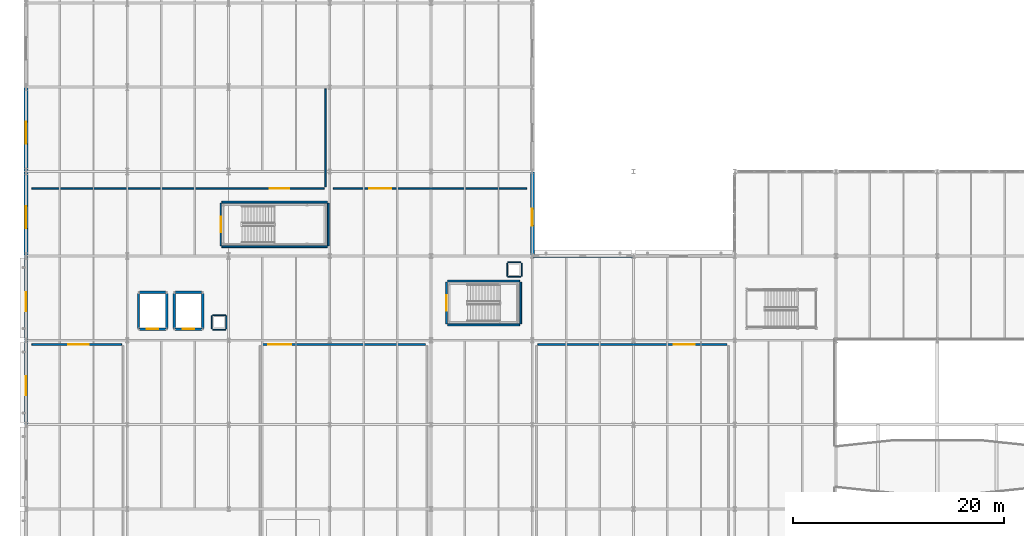
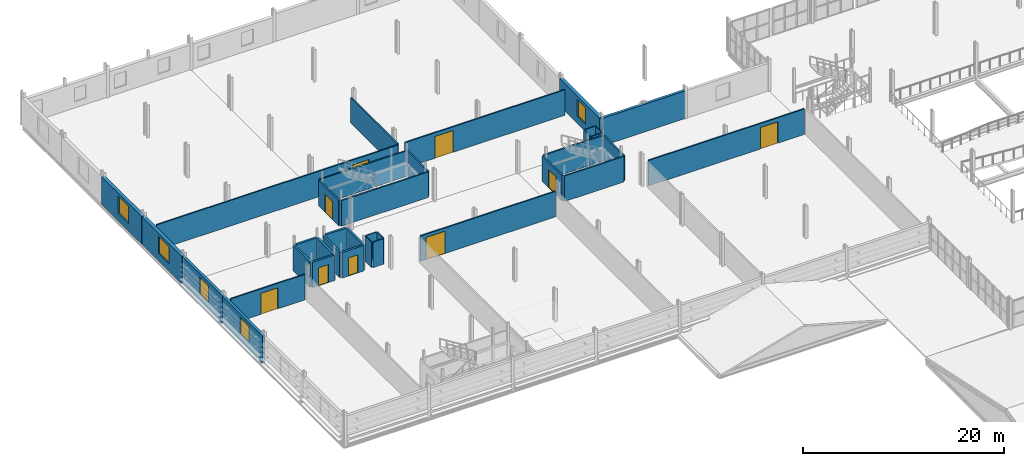
# One storey, part 73 of 85: 36 walls, 9 doors, 5 windows, 14 openings.
"""IFC4 building model written with IfcOpenShell, lengths in metres."""

from ifc_helpers import new_model, si_unit, direction, frame, frame_2d, origin, place, context, subcontext, project, spatial, rectangle, extrude, material, layer, layer_set, type_object, element, fill, save


model = new_model("IFC4")

# Units and contexts
model_context = context("Model", 3, precision=1e-05, world=origin(), true_north=direction((0.0, 1.0)))
body_context = subcontext(model_context, "Body", "Model", "MODEL_VIEW")
ifc_project = project(units=[si_unit("LENGTHUNIT", "METRE"), si_unit("AREAUNIT", "SQUARE_METRE"), si_unit("VOLUMEUNIT", "CUBIC_METRE"), si_unit("PLANEANGLEUNIT", "RADIAN"), si_unit("MASSUNIT", "GRAM", prefix="KILO")], contexts=[model_context])

# Site, building, storey
site_placement = place(None, origin())
site = spatial("IfcSite", under=ifc_project, at=site_placement, CompositionType="ELEMENT")
building_placement = place(site_placement, origin())
building = spatial("IfcBuilding", under=site, at=building_placement, Name="Alderhovde Museum", CompositionType="ELEMENT")
storey_placement = place(building_placement, frame((0.0, 0.0, 8.699951171875)))
storey = spatial("IfcBuildingStorey", under=building, at=storey_placement, Name="L02", CompositionType="ELEMENT", Elevation=8.699951171875)

# Wall, opening, window
ifc_material_1 = material(Name="Fluted Jura Limestone Beaux-Arts Wall", Category="masonry")
ifc_layer_1 = layer(ifc_material_1, 0.3798828125)
ifc_layer_set_1 = layer_set([ifc_layer_1], Name="Fluted Jura Limestone Beaux-Arts Wall")
wall_type_1 = type_object("IfcWallType", Name="EW-LIME-380", PredefinedType="SOLIDWALL", material=ifc_layer_set_1)
wall_1_placement = place(storey_placement, frame((9.60009765625, 80.02001953125, 0.0), z_axis=(0.0, 0.0, 1.0), x_axis=(0.0, 1.0, 0.0)))
wall_1 = element("IfcWall", 1, at=wall_1_placement, inside=storey, type_object=wall_type_1, Name="L02 North Wing West Wall 146", PredefinedType="SOLIDWALL", context=body_context, shape_type="SweptSolid", body=[
    extrude(rectangle(XDim=7.9599609375, YDim=0.3798828125, at=frame_2d((3.97998046875, 0.0))), origin(), (0.0, 0.0, 1.0), 3.360107421875),
])
opening_1_placement = place(wall_1_placement, frame((2.60009765625, 0.0, 0.89990234375)))
opening_1 = element("IfcOpeningElement", 2, at=opening_1_placement, cuts=wall_1, Name="Opening W10", PredefinedType="OPENING", context=body_context, shape_type="SweptSolid", body=[
    extrude(rectangle(XDim=2.10009765625, YDim=2.10009765625, at=frame_2d((1.050048828125, 1.050048828125))), frame((0.0, 0.199951171875, 0.0), z_axis=(0.0, -1.0, 0.0), x_axis=(1.0, 0.0, 0.0)), (0.0, 0.0, 1.0), 0.39990234375),
])
ifc_material_2 = material(Name="Triple-Glazed Low-E Bronze-Anodised Aluminium", Category="aluminium")
window_type_1 = type_object("IfcWindowType", Name="WIN-BA-2100x2100", PartitioningType="DOUBLE_PANEL_VERTICAL", PredefinedType="WINDOW", material=ifc_material_2)
window_1_placement = place(opening_1_placement, origin())
window_1 = element("IfcWindow", 3, at=window_1_placement, inside=storey, type_object=window_type_1, Name="L02 Facade Window 127", OverallHeight=2.10009765625, OverallWidth=2.10009765625, PartitioningType="SINGLE_PANEL", PredefinedType="WINDOW", context=body_context, shape_type="SweptSolid", body=[
    extrude(rectangle(XDim=2.10009765625, YDim=2.10009765625, at=frame_2d((1.050048828125, 1.050048828125))), frame((0.0, 0.030029296875, 0.0), z_axis=(0.0, -1.0, 0.0), x_axis=(1.0, 0.0, 0.0)), (0.0, 0.0, 1.0), 0.06005859375),
])
fill(opening_1, window_1)

wall_2_placement = place(storey_placement, frame((57.60009765625, 80.02001953125, 0.0), z_axis=(0.0, 0.0, 1.0), x_axis=(0.0, 1.0, 0.0)))
wall_2 = element("IfcWall", 4, at=wall_2_placement, inside=storey, type_object=wall_type_1, Name="L02 North Wing East Wall 147", PredefinedType="SOLIDWALL", context=body_context, shape_type="SweptSolid", body=[
    extrude(rectangle(XDim=7.9599609375, YDim=0.3798828125, at=frame_2d((3.97998046875, 0.0))), origin(), (0.0, 0.0, 1.0), 3.360107421875),
])
opening_2_placement = place(wall_2_placement, frame((2.85009765625, 0.0, 0.89990234375)))
opening_2 = element("IfcOpeningElement", 5, at=opening_2_placement, cuts=wall_2, Name="Opening W17", PredefinedType="OPENING", context=body_context, shape_type="SweptSolid", body=[
    extrude(rectangle(XDim=1.60009765625, YDim=2.0, at=frame_2d((0.800048828125, 1.0))), frame((0.0, 0.199951171875, 0.0), z_axis=(0.0, -1.0, 0.0), x_axis=(1.0, 0.0, 0.0)), (0.0, 0.0, 1.0), 0.39990234375),
])
ifc_material_3 = material(Name="Triple-Glazed Low-E Bronze-Anodised Aluminium", Category="aluminium")
window_type_2 = type_object("IfcWindowType", Name="WIN-LAB-1600x2000", PartitioningType="DOUBLE_PANEL_VERTICAL", PredefinedType="WINDOW", material=ifc_material_3)
window_2_placement = place(opening_2_placement, origin())
window_2 = element("IfcWindow", 6, at=window_2_placement, inside=storey, type_object=window_type_2, Name="L02 Facade Window 128", OverallHeight=2.0, OverallWidth=1.60009765625, PartitioningType="SINGLE_PANEL", PredefinedType="WINDOW", context=body_context, shape_type="SweptSolid", body=[
    extrude(rectangle(XDim=1.60009765625, YDim=2.0, at=frame_2d((0.800048828125, 1.0))), frame((0.0, 0.030029296875, 0.0), z_axis=(0.0, -1.0, 0.0), x_axis=(1.0, 0.0, 0.0)), (0.0, 0.0, 1.0), 0.06005859375),
])
fill(opening_2, window_2)

wall_3_placement = place(storey_placement, frame((9.60009765625, 88.02001953125, 0.0), z_axis=(0.0, 0.0, 1.0), x_axis=(0.0, 1.0, 0.0)))
wall_3 = element("IfcWall", 7, at=wall_3_placement, inside=storey, type_object=wall_type_1, Name="L02 North Wing West Wall 148", PredefinedType="SOLIDWALL", context=body_context, shape_type="SweptSolid", body=[
    extrude(rectangle(XDim=7.9599609375, YDim=0.3798828125, at=frame_2d((3.97998046875, 0.0))), origin(), (0.0, 0.0, 1.0), 3.360107421875),
])
opening_3_placement = place(wall_3_placement, frame((2.60009765625, 0.0, 0.89990234375)))
opening_3 = element("IfcOpeningElement", 8, at=opening_3_placement, cuts=wall_3, Name="Opening W10", PredefinedType="OPENING", context=body_context, shape_type="SweptSolid", body=[
    extrude(rectangle(XDim=2.10009765625, YDim=2.10009765625, at=frame_2d((1.050048828125, 1.050048828125))), frame((0.0, 0.199951171875, 0.0), z_axis=(0.0, -1.0, 0.0), x_axis=(1.0, 0.0, 0.0)), (0.0, 0.0, 1.0), 0.39990234375),
])
window_3_placement = place(opening_3_placement, origin())
window_3 = element("IfcWindow", 9, at=window_3_placement, inside=storey, type_object=window_type_1, Name="L02 Facade Window 129", OverallHeight=2.10009765625, OverallWidth=2.10009765625, PartitioningType="SINGLE_PANEL", PredefinedType="WINDOW", context=body_context, shape_type="SweptSolid", body=[
    extrude(rectangle(XDim=2.10009765625, YDim=2.10009765625, at=frame_2d((1.050048828125, 1.050048828125))), frame((0.0, 0.030029296875, 0.0), z_axis=(0.0, -1.0, 0.0), x_axis=(1.0, 0.0, 0.0)), (0.0, 0.0, 1.0), 0.06005859375),
])
fill(opening_3, window_3)

# Wall
ifc_material_4 = material(Name="Insulated Zinc-Clad Backing Wall")
ifc_layer_2 = layer(ifc_material_4, 0.300048828125)
ifc_layer_set_2 = layer_set([ifc_layer_2], Name="Insulated Zinc-Clad Backing Wall")
wall_type_2 = type_object("IfcWallType", Name="EW-ZINC-300", PredefinedType="SOLIDWALL", material=ifc_layer_set_2)
wall_4_placement = place(storey_placement, frame((57.6201171875, 80.0, 0.0), z_axis=(0.0, 0.0, 1.0), x_axis=(1.0, 0.0, 0.0)))
element("IfcWall", 10, at=wall_4_placement, inside=storey, type_object=wall_type_2, Name="L02 Folded Wing North Wall 29", PredefinedType="SOLIDWALL", context=body_context, shape_type="SweptSolid", body=[
    extrude(rectangle(XDim=9.559814453125, YDim=0.300048828125, at=frame_2d((4.77978515625, 0.0))), origin(), (0.0, 0.0, 1.0), 3.360107421875),
])

# Wall, opening, window
wall_5_placement = place(storey_placement, frame((9.60009765625, 64.02001953125, 0.0), z_axis=(0.0, 0.0, 1.0), x_axis=(0.0, 1.0, 0.0)))
wall_5 = element("IfcWall", 11, at=wall_5_placement, inside=storey, type_object=wall_type_2, Name="L02 Raised West Prow Wall 33", PredefinedType="SOLIDWALL", context=body_context, shape_type="SweptSolid", body=[
    extrude(rectangle(XDim=7.9599609375, YDim=0.300048828125, at=frame_2d((3.97998046875, 0.0))), origin(), (0.0, 0.0, 1.0), 3.360107421875),
])
opening_4_placement = place(wall_5_placement, frame((2.75, 0.0, 0.85009765625)))
opening_4 = element("IfcOpeningElement", 12, at=opening_4_placement, cuts=wall_5, Name="Opening W09", PredefinedType="OPENING", context=body_context, shape_type="SweptSolid", body=[
    extrude(rectangle(XDim=1.800048828125, YDim=2.10009765625, at=frame_2d((0.89990234375, 1.050048828125))), frame((0.0, 0.159912109375, 0.0), z_axis=(0.0, -1.0, 0.0), x_axis=(1.0, 0.0, 0.0)), (0.0, 0.0, 1.0), 0.320068359375),
])
ifc_material_5 = material(Name="Triple-Glazed Low-E Bronze-Anodised Aluminium", Category="aluminium")
window_type_3 = type_object("IfcWindowType", Name="WIN-BA-1800x2100", PartitioningType="DOUBLE_PANEL_VERTICAL", PredefinedType="WINDOW", material=ifc_material_5)
window_4_placement = place(opening_4_placement, origin())
window_4 = element("IfcWindow", 13, at=window_4_placement, inside=storey, type_object=window_type_3, Name="L02 Facade Window 21", OverallHeight=2.10009765625, OverallWidth=1.800048828125, PartitioningType="SINGLE_PANEL", PredefinedType="WINDOW", context=body_context, shape_type="SweptSolid", body=[
    extrude(rectangle(XDim=1.800048828125, YDim=2.10009765625, at=frame_2d((0.89990234375, 1.050048828125))), frame((0.0, 0.030029296875, 0.0), z_axis=(0.0, -1.0, 0.0), x_axis=(1.0, 0.0, 0.0)), (0.0, 0.0, 1.0), 0.06005859375),
])
fill(opening_4, window_4)

wall_6_placement = place(storey_placement, frame((9.60009765625, 72.02001953125, 0.0), z_axis=(0.0, 0.0, 1.0), x_axis=(0.0, 1.0, 0.0)))
wall_6 = element("IfcWall", 14, at=wall_6_placement, inside=storey, type_object=wall_type_2, Name="L02 Raised West Prow Wall 34", PredefinedType="SOLIDWALL", context=body_context, shape_type="SweptSolid", body=[
    extrude(rectangle(XDim=7.9599609375, YDim=0.300048828125, at=frame_2d((3.97998046875, 0.0))), origin(), (0.0, 0.0, 1.0), 3.360107421875),
])
opening_5_placement = place(wall_6_placement, frame((2.75, 0.0, 0.85009765625)))
opening_5 = element("IfcOpeningElement", 15, at=opening_5_placement, cuts=wall_6, Name="Opening W09", PredefinedType="OPENING", context=body_context, shape_type="SweptSolid", body=[
    extrude(rectangle(XDim=1.800048828125, YDim=2.10009765625, at=frame_2d((0.89990234375, 1.050048828125))), frame((0.0, 0.159912109375, 0.0), z_axis=(0.0, -1.0, 0.0), x_axis=(1.0, 0.0, 0.0)), (0.0, 0.0, 1.0), 0.320068359375),
])
window_5_placement = place(opening_5_placement, origin())
window_5 = element("IfcWindow", 16, at=window_5_placement, inside=storey, type_object=window_type_3, Name="L02 Facade Window 22", OverallHeight=2.10009765625, OverallWidth=1.800048828125, PartitioningType="SINGLE_PANEL", PredefinedType="WINDOW", context=body_context, shape_type="SweptSolid", body=[
    extrude(rectangle(XDim=1.800048828125, YDim=2.10009765625, at=frame_2d((0.89990234375, 1.050048828125))), frame((0.0, 0.030029296875, 0.0), z_axis=(0.0, -1.0, 0.0), x_axis=(1.0, 0.0, 0.0)), (0.0, 0.0, 1.0), 0.06005859375),
])
fill(opening_5, window_5)

# Wall, opening, door
ifc_material_6 = material(Name="Plywood-Backed Gallery Display Partition", Category="wood")
ifc_layer_3 = layer(ifc_material_6, 0.14990234375)
ifc_layer_set_3 = layer_set([ifc_layer_3], Name="Plywood-Backed Gallery Display Partition")
wall_type_3 = type_object("IfcWallType", Name="IW-GAL-150", PredefinedType="PARTITIONING", material=ifc_layer_set_3)
wall_7_placement = place(storey_placement, frame((10.139892578125, 71.60009765625, 0.0), z_axis=(0.0, 0.0, 1.0), x_axis=(1.0, 0.0, 0.0)))
wall_7 = element("IfcWall", 17, at=wall_7_placement, inside=storey, type_object=wall_type_3, Name="L02 West Prow Decorative Arts Gallery Partition Wall N", PredefinedType="PARTITIONING", context=body_context, shape_type="SweptSolid", body=[
    extrude(rectangle(XDim=8.52001953125, YDim=0.14990234375, at=frame_2d((4.260009765625, 0.0))), origin(), (0.0, 0.0, 1.0), 3.10009765625),
])
opening_6_placement = place(wall_7_placement, frame((3.44091796875, 0.0, 0.0)))
opening_6 = element("IfcOpeningElement", 18, at=opening_6_placement, cuts=wall_7, Name="Opening D12", PredefinedType="OPENING", context=body_context, shape_type="SweptSolid", body=[
    extrude(rectangle(XDim=1.949951171875, YDim=2.550048828125, at=frame_2d((0.97509765625, 1.27490234375))), frame((0.0, 0.0849609375, 0.0), z_axis=(0.0, -1.0, 0.0), x_axis=(1.0, 0.0, 0.0)), (0.0, 0.0, 1.0), 0.169921875),
])
ifc_material_7 = material(Name="Natural History Double Door (Steel/Oak)", Category="steel")
door_type_1 = type_object("IfcDoorType", Name="ID-GAL-1950x2550", OperationType="NOTDEFINED", PredefinedType="DOOR", material=ifc_material_7)
door_1_placement = place(opening_6_placement, origin())
door_1 = element("IfcDoor", 19, at=door_1_placement, inside=storey, type_object=door_type_1, Name="L02 West Prow Decorative Arts Gallery Door", OperationType="DOUBLE_DOOR_SINGLE_SWING", OverallHeight=2.550048828125, OverallWidth=1.949951171875, PredefinedType="DOOR", context=body_context, shape_type="SweptSolid", body=[
    extrude(rectangle(XDim=1.949951171875, YDim=2.550048828125, at=frame_2d((0.97509765625, 1.27490234375))), frame((0.0, 0.02490234375, 0.0), z_axis=(0.0, -1.0, 0.0), x_axis=(1.0, 0.0, 0.0)), (0.0, 0.0, 1.0), 0.050048828125),
])
fill(opening_6, door_1)

wall_8_placement = place(storey_placement, frame((31.93994140625, 71.60009765625, 0.0), z_axis=(0.0, 0.0, 1.0), x_axis=(1.0, 0.0, 0.0)))
wall_8 = element("IfcWall", 20, at=wall_8_placement, inside=storey, type_object=wall_type_3, Name="L02 European Paintings Enfilade Gallery Partition Wall N", PredefinedType="PARTITIONING", context=body_context, shape_type="SweptSolid", body=[
    extrude(rectangle(XDim=15.52001953125, YDim=0.14990234375, at=frame_2d((7.760009765625, 0.0))), origin(), (0.0, 0.0, 1.0), 3.10009765625),
])
opening_7_placement = place(wall_8_placement, frame((0.6220703125, 0.0, 0.0)))
opening_7 = element("IfcOpeningElement", 21, at=opening_7_placement, cuts=wall_8, Name="Opening D01", PredefinedType="OPENING", context=body_context, shape_type="SweptSolid", body=[
    extrude(rectangle(XDim=2.199951171875, YDim=2.699951171875, at=frame_2d((1.10009765625, 1.35009765625))), frame((0.0, 0.0849609375, 0.0), z_axis=(0.0, -1.0, 0.0), x_axis=(1.0, 0.0, 0.0)), (0.0, 0.0, 1.0), 0.169921875),
])
ifc_material_8 = material(Name="Grand Gallery Portal Double Door (Steel/Oak)", Category="steel")
door_type_2 = type_object("IfcDoorType", Name="ID-GAL-2200x2700", OperationType="NOTDEFINED", PredefinedType="DOOR", material=ifc_material_8)
door_2_placement = place(opening_7_placement, origin())
door_2 = element("IfcDoor", 22, at=door_2_placement, inside=storey, type_object=door_type_2, Name="L02 European Paintings Enfilade Gallery Door", OperationType="DOUBLE_DOOR_SINGLE_SWING", OverallHeight=2.699951171875, OverallWidth=2.199951171875, PredefinedType="DOOR", context=body_context, shape_type="SweptSolid", body=[
    extrude(rectangle(XDim=2.199951171875, YDim=2.699951171875, at=frame_2d((1.10009765625, 1.35009765625))), frame((0.0, 0.02490234375, 0.0), z_axis=(0.0, -1.0, 0.0), x_axis=(1.0, 0.0, 0.0)), (0.0, 0.0, 1.0), 0.050048828125),
])
fill(opening_7, door_2)

wall_9_placement = place(storey_placement, frame((58.139892578125, 71.60009765625, 0.0), z_axis=(0.0, 0.0, 1.0), x_axis=(1.0, 0.0, 0.0)))
wall_9 = element("IfcWall", 23, at=wall_9_placement, inside=storey, type_object=wall_type_3, Name="L02 Nordic Mineralogy Exhibition Hall Partition Wall N", PredefinedType="PARTITIONING", context=body_context, shape_type="SweptSolid", body=[
    extrude(rectangle(XDim=17.920166015625, YDim=0.14990234375, at=frame_2d((8.9599609375, 0.0))), origin(), (0.0, 0.0, 1.0), 3.10009765625),
])
opening_8_placement = place(wall_9_placement, frame((12.85009765625, 0.0, 0.0)))
opening_8 = element("IfcOpeningElement", 24, at=opening_8_placement, cuts=wall_9, Name="Opening D02", PredefinedType="OPENING", context=body_context, shape_type="SweptSolid", body=[
    extrude(rectangle(XDim=2.0, YDim=2.60009765625, at=frame_2d((1.0, 1.300048828125))), frame((0.0, 0.0849609375, 0.0), z_axis=(0.0, -1.0, 0.0), x_axis=(1.0, 0.0, 0.0)), (0.0, 0.0, 1.0), 0.169921875),
])
ifc_material_9 = material(Name="Exhibition Enfilade Double Door (Steel/Oak)", Category="steel")
door_type_3 = type_object("IfcDoorType", Name="ID-GAL-2000x2600", OperationType="NOTDEFINED", PredefinedType="DOOR", material=ifc_material_9)
door_3_placement = place(opening_8_placement, origin())
door_3 = element("IfcDoor", 25, at=door_3_placement, inside=storey, type_object=door_type_3, Name="L02 Nordic Mineralogy Exhibition Hall Door", OperationType="DOUBLE_DOOR_SINGLE_SWING", OverallHeight=2.60009765625, OverallWidth=2.0, PredefinedType="DOOR", context=body_context, shape_type="SweptSolid", body=[
    extrude(rectangle(XDim=2.0, YDim=2.60009765625, at=frame_2d((1.0, 1.300048828125))), frame((0.0, 0.02490234375, 0.0), z_axis=(0.0, -1.0, 0.0), x_axis=(1.0, 0.0, 0.0)), (0.0, 0.0, 1.0), 0.050048828125),
])
fill(opening_8, door_3)

wall_10_placement = place(storey_placement, frame((10.139892578125, 86.39990234375, 0.0), z_axis=(0.0, 0.0, 1.0), x_axis=(1.0, 0.0, 0.0)))
wall_10 = element("IfcWall", 26, at=wall_10_placement, inside=storey, type_object=wall_type_3, Name="L02 Arctic Biodiversity Hall West Partition Wall S", PredefinedType="PARTITIONING", context=body_context, shape_type="SweptSolid", body=[
    extrude(rectangle(XDim=27.72021484375, YDim=0.14990234375, at=frame_2d((13.860107421875, 0.0))), origin(), (0.0, 0.0, 1.0), 3.10009765625),
])
opening_9_placement = place(wall_10_placement, frame((22.5458984375, 0.0, 0.0)))
opening_9 = element("IfcOpeningElement", 27, at=opening_9_placement, cuts=wall_10, Name="Opening D03", PredefinedType="OPENING", context=body_context, shape_type="SweptSolid", body=[
    extrude(rectangle(XDim=1.85009765625, YDim=2.5, at=frame_2d((0.925048828125, 1.25))), frame((0.0, 0.0849609375, 0.0), z_axis=(0.0, -1.0, 0.0), x_axis=(1.0, 0.0, 0.0)), (0.0, 0.0, 1.0), 0.169921875),
])
ifc_material_10 = material(Name="Gallery Passage Double Door (Steel/Oak)", Category="steel")
door_type_4 = type_object("IfcDoorType", Name="ID-GAL-1850x2500", OperationType="NOTDEFINED", PredefinedType="DOOR", material=ifc_material_10)
door_4_placement = place(opening_9_placement, origin())
door_4 = element("IfcDoor", 28, at=door_4_placement, inside=storey, type_object=door_type_4, Name="L02 Arctic Biodiversity Hall West Door", OperationType="DOUBLE_DOOR_SINGLE_SWING", OverallHeight=2.5, OverallWidth=1.85009765625, PredefinedType="DOOR", context=body_context, shape_type="SweptSolid", body=[
    extrude(rectangle(XDim=1.85009765625, YDim=2.5, at=frame_2d((0.925048828125, 1.25))), frame((0.0, 0.02490234375, 0.0), z_axis=(0.0, -1.0, 0.0), x_axis=(1.0, 0.0, 0.0)), (0.0, 0.0, 1.0), 0.050048828125),
])
fill(opening_9, door_4)

# Wall
wall_11_placement = place(storey_placement, frame((38.0, 86.5400390625, 0.0), z_axis=(0.0, 0.0, 1.0), x_axis=(0.0, 1.0, 0.0)))
element("IfcWall", 29, at=wall_11_placement, inside=storey, type_object=wall_type_3, Name="L02 Arctic Biodiversity Hall West Partition Wall E", PredefinedType="PARTITIONING", context=body_context, shape_type="SweptSolid", body=[
    extrude(rectangle(XDim=9.2900390625, YDim=0.14990234375, at=frame_2d((4.64501953125, 0.0))), origin(), (0.0, 0.0, 1.0), 3.10009765625),
])

# Wall, opening, door
wall_12_placement = place(storey_placement, frame((38.739990234375, 86.39990234375, 0.0), z_axis=(0.0, 0.0, 1.0), x_axis=(1.0, 0.0, 0.0)))
wall_12 = element("IfcWall", 30, at=wall_12_placement, inside=storey, type_object=wall_type_3, Name="L02 Arctic Biodiversity Hall East Partition Wall S", PredefinedType="PARTITIONING", context=body_context, shape_type="SweptSolid", body=[
    extrude(rectangle(XDim=18.320068359375, YDim=0.14990234375, at=frame_2d((9.16015625, 0.0))), origin(), (0.0, 0.0, 1.0), 3.10009765625),
])
opening_10_placement = place(wall_12_placement, frame((3.375, 0.0, 0.0)))
opening_10 = element("IfcOpeningElement", 31, at=opening_10_placement, cuts=wall_12, Name="Opening D11", PredefinedType="OPENING", context=body_context, shape_type="SweptSolid", body=[
    extrude(rectangle(XDim=2.10009765625, YDim=2.64990234375, at=frame_2d((1.050048828125, 1.324951171875))), frame((0.0, 0.0849609375, 0.0), z_axis=(0.0, -1.0, 0.0), x_axis=(1.0, 0.0, 0.0)), (0.0, 0.0, 1.0), 0.169921875),
])
ifc_material_11 = material(Name="Sculpture Hall Double Door (Steel/Oak)", Category="steel")
door_type_5 = type_object("IfcDoorType", Name="ID-GAL-2100x2650", OperationType="NOTDEFINED", PredefinedType="DOOR", material=ifc_material_11)
door_5_placement = place(opening_10_placement, origin())
door_5 = element("IfcDoor", 32, at=door_5_placement, inside=storey, type_object=door_type_5, Name="L02 Arctic Biodiversity Hall East Door", OperationType="DOUBLE_DOOR_SINGLE_SWING", OverallHeight=2.64990234375, OverallWidth=2.10009765625, PredefinedType="DOOR", context=body_context, shape_type="SweptSolid", body=[
    extrude(rectangle(XDim=2.10009765625, YDim=2.64990234375, at=frame_2d((1.050048828125, 1.324951171875))), frame((0.0, 0.02490234375, 0.0), z_axis=(0.0, -1.0, 0.0), x_axis=(1.0, 0.0, 0.0)), (0.0, 0.0, 1.0), 0.050048828125),
])
fill(opening_10, door_5)

# Walls
ifc_material_12 = material(Name="Acoustic Service Riser Lining Wall")
ifc_layer_4 = layer(ifc_material_12, 0.10009765625)
ifc_layer_set_4 = layer_set([ifc_layer_4], Name="Acoustic Service Riser Lining Wall")
wall_type_4 = type_object("IfcWallType", Name="IW-LIN-100", PredefinedType="PARTITIONING", material=ifc_layer_set_4)
for number, where, z_axis, x_axis, name in (
    (33, (27.280029296875, 74.3798828125, 0.0), (0.0, 0.0, 1.0), (1.0, 0.0, 0.0), "L02 Service Riser RSR-V1A Shaft Wall N"),
    (34, (27.280029296875, 73.02001953125, 0.0), (0.0, 0.0, 1.0), (1.0, 0.0, 0.0), "L02 Service Riser RSR-V1A Shaft Wall S"),
    (35, (27.219970703125, 73.080078125, 0.0), (0.0, 0.0, 1.0), (0.0, 1.0, 0.0), "L02 Service Riser RSR-V1A Shaft Wall W"),
    (36, (28.580078125, 73.080078125, 0.0), (0.0, 0.0, 1.0), (0.0, 1.0, 0.0), "L02 Service Riser RSR-V1A Shaft Wall E"),
    (37, (55.280029296875, 79.3798828125, 0.0), (0.0, 0.0, 1.0), (1.0, 0.0, 0.0), "L02 Service Riser RSR-V4 Shaft Wall N"),
    (38, (55.280029296875, 78.02001953125, 0.0), (0.0, 0.0, 1.0), (1.0, 0.0, 0.0), "L02 Service Riser RSR-V4 Shaft Wall S"),
    (39, (55.219970703125, 78.080078125, 0.0), (0.0, 0.0, 1.0), (0.0, 1.0, 0.0), "L02 Service Riser RSR-V4 Shaft Wall W"),
    (40, (56.580078125, 78.080078125, 0.0), (0.0, 0.0, 1.0), (0.0, 1.0, 0.0), "L02 Service Riser RSR-V4 Shaft Wall E"),
):
    element("IfcWall", number, at=place(storey_placement, frame(where, z_axis=z_axis, x_axis=x_axis)), inside=storey, type_object=wall_type_4, Name=name, PredefinedType="PARTITIONING", context=body_context, shape_type="SweptSolid", body=[
        extrude(rectangle(XDim=1.239990234375, YDim=0.10009765625, at=frame_2d((0.6201171875, 0.0))), origin(), (0.0, 0.0, 1.0), 3.10009765625),
    ])

# Wall, opening, door
ifc_material_13 = material(Name="Concrete C40/50 and Fireboard Shaft Wall", Category="concrete")
ifc_layer_5 = layer(ifc_material_13, 0.22998046875)
ifc_layer_set_5 = layer_set([ifc_layer_5], Name="Concrete C40/50 and Fireboard Shaft Wall")
wall_type_5 = type_object("IfcWallType", Name="IW-SHAFT-230", PredefinedType="SOLIDWALL", material=ifc_layer_set_5)
wall_13_placement = place(storey_placement, frame((20.340087890625, 73.06005859375, 0.0), z_axis=(0.0, 0.0, 1.0), x_axis=(1.0, 0.0, 0.0)))
wall_13 = element("IfcWall", 41, at=wall_13_placement, inside=storey, type_object=wall_type_5, Name="L02 Passenger Lift PL-01 Shaft Wall South", PredefinedType="SOLIDWALL", context=body_context, shape_type="SweptSolid", body=[
    extrude(rectangle(XDim=2.52001953125, YDim=0.22998046875, at=frame_2d((1.260009765625, 0.0))), origin(), (0.0, 0.0, 1.0), 3.10009765625),
])
opening_11_placement = place(wall_13_placement, frame((0.7099609375, 0.0, 0.0)))
opening_11 = element("IfcOpeningElement", 42, at=opening_11_placement, cuts=wall_13, Name="Opening LD-1", PredefinedType="OPENING", context=body_context, shape_type="SweptSolid", body=[
    extrude(rectangle(XDim=1.10009765625, YDim=2.199951171875, at=frame_2d((0.550048828125, 1.10009765625))), frame((0.0, 0.125, 0.0), z_axis=(0.0, -1.0, 0.0), x_axis=(1.0, 0.0, 0.0)), (0.0, 0.0, 1.0), 0.25),
])
ifc_material_14 = material(Name="Passenger Lift Sliding Landing Door (Steel/Oak)", Category="steel")
door_type_6 = type_object("IfcDoorType", Name="LD-PASS-1100x2200", OperationType="SLIDING_TO_LEFT", PredefinedType="DOOR", material=ifc_material_14)
door_6_placement = place(opening_11_placement, origin())
door_6 = element("IfcDoor", 43, at=door_6_placement, inside=storey, type_object=door_type_6, Name="L02 Passenger Lift PL-01 Landing Door", OperationType="SLIDING_TO_LEFT", OverallHeight=2.199951171875, OverallWidth=1.10009765625, PredefinedType="DOOR", context=body_context, shape_type="SweptSolid", body=[
    extrude(rectangle(XDim=1.10009765625, YDim=2.199951171875, at=frame_2d((0.550048828125, 1.10009765625))), frame((0.0, 0.02490234375, 0.0), z_axis=(0.0, -1.0, 0.0), x_axis=(1.0, 0.0, 0.0)), (0.0, 0.0, 1.0), 0.050048828125),
])
fill(opening_11, door_6)

# Walls
wall_14_placement = place(storey_placement, frame((20.340087890625, 76.5400390625, 0.0), z_axis=(0.0, 0.0, 1.0), x_axis=(1.0, 0.0, 0.0)))
element("IfcWall", 44, at=wall_14_placement, inside=storey, type_object=wall_type_5, Name="L02 Passenger Lift PL-01 Shaft Wall North", PredefinedType="SOLIDWALL", context=body_context, shape_type="SweptSolid", body=[
    extrude(rectangle(XDim=2.52001953125, YDim=0.22998046875, at=frame_2d((1.260009765625, 0.0))), origin(), (0.0, 0.0, 1.0), 3.10009765625),
])
for number, where, z_axis, x_axis, name in (
    (45, (20.260009765625, 73.139892578125, 0.0), (0.0, 0.0, 1.0), (0.0, 1.0, 0.0), "L02 Passenger Lift PL-01 Shaft Wall West"),
    (46, (22.93994140625, 73.139892578125, 0.0), (0.0, 0.0, 1.0), (0.0, 1.0, 0.0), "L02 Passenger Lift PL-01 Shaft Wall East"),
):
    element("IfcWall", number, at=place(storey_placement, frame(where, z_axis=z_axis, x_axis=x_axis)), inside=storey, type_object=wall_type_5, Name=name, PredefinedType="SOLIDWALL", context=body_context, shape_type="SweptSolid", body=[
        extrude(rectangle(XDim=3.320068359375, YDim=0.22998046875, at=frame_2d((1.66015625, 0.0))), origin(), (0.0, 0.0, 1.0), 3.10009765625),
    ])

# Wall, opening, door
wall_15_placement = place(storey_placement, frame((23.739990234375, 73.06005859375, 0.0), z_axis=(0.0, 0.0, 1.0), x_axis=(1.0, 0.0, 0.0)))
wall_15 = element("IfcWall", 47, at=wall_15_placement, inside=storey, type_object=wall_type_5, Name="L02 Passenger Lift PL-02 Shaft Wall South", PredefinedType="SOLIDWALL", context=body_context, shape_type="SweptSolid", body=[
    extrude(rectangle(XDim=2.52001953125, YDim=0.22998046875, at=frame_2d((1.260009765625, 0.0))), origin(), (0.0, 0.0, 1.0), 3.10009765625),
])
opening_12_placement = place(wall_15_placement, frame((0.7099609375, 0.0, 0.0)))
opening_12 = element("IfcOpeningElement", 48, at=opening_12_placement, cuts=wall_15, Name="Opening LD-1", PredefinedType="OPENING", context=body_context, shape_type="SweptSolid", body=[
    extrude(rectangle(XDim=1.10009765625, YDim=2.199951171875, at=frame_2d((0.550048828125, 1.10009765625))), frame((0.0, 0.125, 0.0), z_axis=(0.0, -1.0, 0.0), x_axis=(1.0, 0.0, 0.0)), (0.0, 0.0, 1.0), 0.25),
])
door_7_placement = place(opening_12_placement, origin())
door_7 = element("IfcDoor", 49, at=door_7_placement, inside=storey, type_object=door_type_6, Name="L02 Passenger Lift PL-02 Landing Door", OperationType="SLIDING_TO_RIGHT", OverallHeight=2.199951171875, OverallWidth=1.10009765625, PredefinedType="DOOR", context=body_context, shape_type="SweptSolid", body=[
    extrude(rectangle(XDim=1.10009765625, YDim=2.199951171875, at=frame_2d((0.550048828125, 1.10009765625))), frame((0.0, 0.02490234375, 0.0), z_axis=(0.0, -1.0, 0.0), x_axis=(1.0, 0.0, 0.0)), (0.0, 0.0, 1.0), 0.050048828125),
])
fill(opening_12, door_7)

# Walls
wall_16_placement = place(storey_placement, frame((23.739990234375, 76.5400390625, 0.0), z_axis=(0.0, 0.0, 1.0), x_axis=(1.0, 0.0, 0.0)))
element("IfcWall", 50, at=wall_16_placement, inside=storey, type_object=wall_type_5, Name="L02 Passenger Lift PL-02 Shaft Wall North", PredefinedType="SOLIDWALL", context=body_context, shape_type="SweptSolid", body=[
    extrude(rectangle(XDim=2.52001953125, YDim=0.22998046875, at=frame_2d((1.260009765625, 0.0))), origin(), (0.0, 0.0, 1.0), 3.10009765625),
])
for number, where, z_axis, x_axis, name in (
    (51, (23.659912109375, 73.139892578125, 0.0), (0.0, 0.0, 1.0), (0.0, 1.0, 0.0), "L02 Passenger Lift PL-02 Shaft Wall West"),
    (52, (26.340087890625, 73.139892578125, 0.0), (0.0, 0.0, 1.0), (0.0, 1.0, 0.0), "L02 Passenger Lift PL-02 Shaft Wall East"),
):
    element("IfcWall", number, at=place(storey_placement, frame(where, z_axis=z_axis, x_axis=x_axis)), inside=storey, type_object=wall_type_5, Name=name, PredefinedType="SOLIDWALL", context=body_context, shape_type="SweptSolid", body=[
        extrude(rectangle(XDim=3.320068359375, YDim=0.22998046875, at=frame_2d((1.66015625, 0.0))), origin(), (0.0, 0.0, 1.0), 3.10009765625),
    ])

# Wall, opening, door
ifc_material_15 = material(Name="Fire-Resisting Stair Lobby Wall")
ifc_layer_6 = layer(ifc_material_15, 0.169921875)
ifc_layer_set_6 = layer_set([ifc_layer_6], Name="Fire-Resisting Stair Lobby Wall")
wall_type_6 = type_object("IfcWallType", Name="IW-STAIR-170", PredefinedType="SOLIDWALL", material=ifc_layer_set_6)
wall_17_placement = place(storey_placement, frame((28.06005859375, 80.9599609375, 0.0), z_axis=(0.0, 0.0, 1.0), x_axis=(0.0, 1.0, 0.0)))
wall_17 = element("IfcWall", 53, at=wall_17_placement, inside=storey, type_object=wall_type_6, Name="L02 Escape Stair ST2 Fire Wall W", PredefinedType="SOLIDWALL", context=body_context, shape_type="SweptSolid", body=[
    extrude(rectangle(XDim=4.0400390625, YDim=0.169921875, at=frame_2d((2.02001953125, 0.0))), origin(), (0.0, 0.0, 1.0), 3.10009765625),
])
opening_13_placement = place(wall_17_placement, frame((1.27001953125, 0.0, 0.0)))
opening_13 = element("IfcOpeningElement", 54, at=opening_13_placement, cuts=wall_17, Name="Opening FD-1", PredefinedType="OPENING", context=body_context, shape_type="SweptSolid", body=[
    extrude(rectangle(XDim=1.5, YDim=2.199951171875, at=frame_2d((0.75, 1.10009765625))), frame((0.0, 0.094970703125, 0.0), z_axis=(0.0, -1.0, 0.0), x_axis=(1.0, 0.0, 0.0)), (0.0, 0.0, 1.0), 0.18994140625),
])
ifc_material_16 = material(Name="Fire-Rated Steel Stair Escape Door (Steel/Oak)", Category="steel")
door_type_7 = type_object("IfcDoorType", Name="FD-STAIR-1500x2200", OperationType="NOTDEFINED", PredefinedType="DOOR", material=ifc_material_16)
door_8_placement = place(opening_13_placement, origin())
door_8 = element("IfcDoor", 55, at=door_8_placement, inside=storey, type_object=door_type_7, Name="L02 Escape Stair ST2 Fire Door", OperationType="SINGLE_SWING_LEFT", OverallHeight=2.199951171875, OverallWidth=1.5, PredefinedType="DOOR", context=body_context, shape_type="SweptSolid", body=[
    extrude(rectangle(XDim=1.5, YDim=2.199951171875, at=frame_2d((0.75, 1.10009765625))), frame((0.0, 0.02490234375, 0.0), z_axis=(0.0, -1.0, 0.0), x_axis=(1.0, 0.0, 0.0)), (0.0, 0.0, 1.0), 0.050048828125),
])
fill(opening_13, door_8)

# Walls
wall_18_placement = place(storey_placement, frame((38.260009765625, 80.9599609375, 0.0), z_axis=(0.0, 0.0, 1.0), x_axis=(0.0, 1.0, 0.0)))
element("IfcWall", 56, at=wall_18_placement, inside=storey, type_object=wall_type_6, Name="L02 Escape Stair ST2 Fire Wall E", PredefinedType="SOLIDWALL", context=body_context, shape_type="SweptSolid", body=[
    extrude(rectangle(XDim=4.0400390625, YDim=0.169921875, at=frame_2d((2.02001953125, 0.0))), origin(), (0.0, 0.0, 1.0), 3.10009765625),
])
for number, where, z_axis, x_axis, name in (
    (57, (28.159912109375, 80.860107421875, 0.0), (0.0, 0.0, 1.0), (1.0, 0.0, 0.0), "L02 Escape Stair ST2 Fire Wall S"),
    (58, (28.159912109375, 85.10009765625, 0.0), (0.0, 0.0, 1.0), (1.0, 0.0, 0.0), "L02 Escape Stair ST2 Fire Wall N"),
):
    element("IfcWall", number, at=place(storey_placement, frame(where, z_axis=z_axis, x_axis=x_axis)), inside=storey, type_object=wall_type_6, Name=name, PredefinedType="SOLIDWALL", context=body_context, shape_type="SweptSolid", body=[
        extrude(rectangle(XDim=10.0, YDim=0.169921875, at=frame_2d((5.0, 0.0))), origin(), (0.0, 0.0, 1.0), 3.10009765625),
    ])

# Wall, opening, door
wall_19_placement = place(storey_placement, frame((49.4599609375, 73.56005859375, 0.0), z_axis=(0.0, 0.0, 1.0), x_axis=(0.0, 1.0, 0.0)))
wall_19 = element("IfcWall", 59, at=wall_19_placement, inside=storey, type_object=wall_type_6, Name="L02 Escape Stair ST6 Fire Wall W", PredefinedType="SOLIDWALL", context=body_context, shape_type="SweptSolid", body=[
    extrude(rectangle(XDim=3.9599609375, YDim=0.169921875, at=frame_2d((1.97998046875, 0.0))), origin(), (0.0, 0.0, 1.0), 3.10009765625),
])
opening_14_placement = place(wall_19_placement, frame((1.22998046875, 0.0, 0.0)))
opening_14 = element("IfcOpeningElement", 60, at=opening_14_placement, cuts=wall_19, Name="Opening FD-1", PredefinedType="OPENING", context=body_context, shape_type="SweptSolid", body=[
    extrude(rectangle(XDim=1.5, YDim=2.199951171875, at=frame_2d((0.75, 1.10009765625))), frame((0.0, 0.094970703125, 0.0), z_axis=(0.0, -1.0, 0.0), x_axis=(1.0, 0.0, 0.0)), (0.0, 0.0, 1.0), 0.18994140625),
])
door_9_placement = place(opening_14_placement, origin())
door_9 = element("IfcDoor", 61, at=door_9_placement, inside=storey, type_object=door_type_7, Name="L02 Escape Stair ST6 Fire Door", OperationType="SINGLE_SWING_LEFT", OverallHeight=2.199951171875, OverallWidth=1.5, PredefinedType="DOOR", context=body_context, shape_type="SweptSolid", body=[
    extrude(rectangle(XDim=1.5, YDim=2.199951171875, at=frame_2d((0.75, 1.10009765625))), frame((0.0, 0.02490234375, 0.0), z_axis=(0.0, -1.0, 0.0), x_axis=(1.0, 0.0, 0.0)), (0.0, 0.0, 1.0), 0.050048828125),
])
fill(opening_14, door_9)

# Walls
wall_20_placement = place(storey_placement, frame((56.5, 73.56005859375, 0.0), z_axis=(0.0, 0.0, 1.0), x_axis=(0.0, 1.0, 0.0)))
element("IfcWall", 62, at=wall_20_placement, inside=storey, type_object=wall_type_6, Name="L02 Escape Stair ST6 Fire Wall E", PredefinedType="SOLIDWALL", context=body_context, shape_type="SweptSolid", body=[
    extrude(rectangle(XDim=3.9599609375, YDim=0.169921875, at=frame_2d((1.97998046875, 0.0))), origin(), (0.0, 0.0, 1.0), 3.10009765625),
])
for number, where, z_axis, x_axis, name in (
    (63, (49.56005859375, 73.4599609375, 0.0), (0.0, 0.0, 1.0), (1.0, 0.0, 0.0), "L02 Escape Stair ST6 Fire Wall S"),
    (64, (49.56005859375, 77.6201171875, 0.0), (0.0, 0.0, 1.0), (1.0, 0.0, 0.0), "L02 Escape Stair ST6 Fire Wall N"),
):
    element("IfcWall", number, at=place(storey_placement, frame(where, z_axis=z_axis, x_axis=x_axis)), inside=storey, type_object=wall_type_6, Name=name, PredefinedType="SOLIDWALL", context=body_context, shape_type="SweptSolid", body=[
        extrude(rectangle(XDim=6.83984375, YDim=0.169921875, at=frame_2d((3.419921875, 0.0))), origin(), (0.0, 0.0, 1.0), 3.10009765625),
    ])

save(model, "model.ifc")
